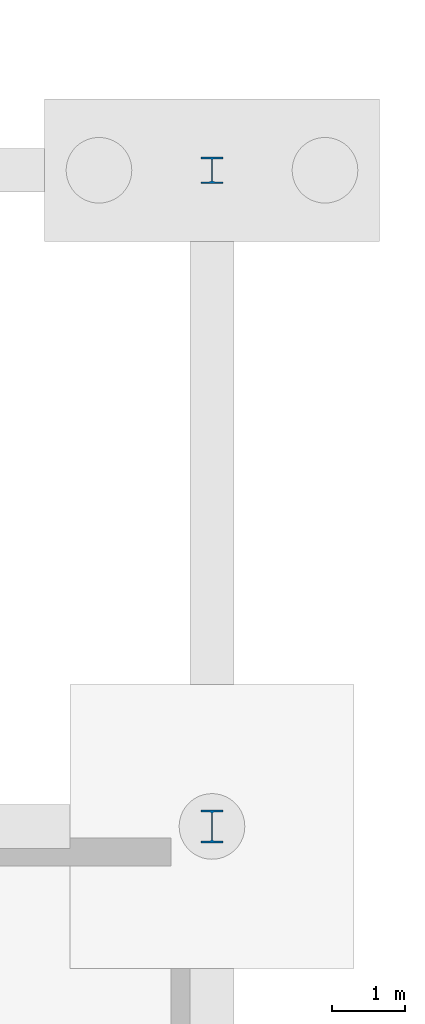
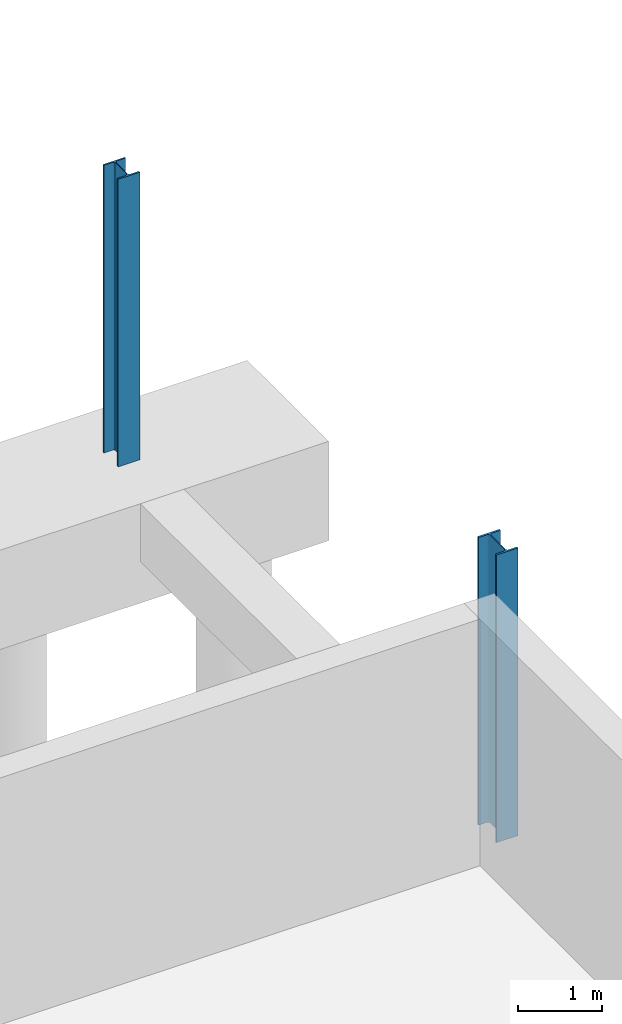
# One storey, part 29 of 42: 2 columns.
"""IFC4 building model written with IfcOpenShell, lengths in metres."""

from ifc_helpers import new_model, si_unit, direction, frame, origin, origin_2d, place, context, subcontext, project, spatial, i_section, extrude, material, material_profile, profile_set, type_object, element, save


model = new_model("IFC4")

# Units and contexts
model_context = context("Model", 3, precision=1e-05, world=origin(), true_north=direction((0.0, 1.0)))
body_context = subcontext(model_context, "Body", "Model", "MODEL_VIEW")
ifc_project = project(units=[si_unit("LENGTHUNIT", "METRE"), si_unit("AREAUNIT", "SQUARE_METRE"), si_unit("VOLUMEUNIT", "CUBIC_METRE"), si_unit("PLANEANGLEUNIT", "RADIAN"), si_unit("MASSUNIT", "GRAM", prefix="KILO")], contexts=[model_context])

# Site, building, storey
site_placement = place(None, origin())
site = spatial("IfcSite", under=ifc_project, at=site_placement, CompositionType="ELEMENT")
building_placement = place(site_placement, origin())
building = spatial("IfcBuilding", under=site, at=building_placement, Name="Deido Ridge Mobility Hub", CompositionType="ELEMENT")
storey_placement = place(building_placement, frame((0.0, 0.0, -4.199951171875)))
storey = spatial("IfcBuildingStorey", under=building, at=storey_placement, Name="B1", CompositionType="ELEMENT", Elevation=-4.199951171875)

# Columns
ifc_material = material(Name="Steel S355J2 EN 10025-2", Category="steel")
ifc_material_profile_1 = material_profile(ifc_material, i_section(OverallWidth=0.300048828125, OverallDepth=0.360107421875, WebThickness=0.012451171875, FlangeThickness=0.0224609375, FilletRadius=0.027099609375, at=origin_2d()), Name="HEB 360")
ifc_profile_set_1 = profile_set([ifc_material_profile_1], Name="Steel S355J2 EN 10025-2")
column_type_1 = type_object("IfcColumnType", Name="COL-HEB360", PredefinedType="COLUMN", material=ifc_profile_set_1)
column_1_placement = place(storey_placement, frame((180.0, 72.0, 0.0), z_axis=(0.0, 0.0, 1.0), x_axis=(1.0, 0.0, 0.0)))
element("IfcColumn", 1, at=column_1_placement, inside=storey, type_object=column_type_1, Name="Structural column C8", PredefinedType="COLUMN", context=body_context, shape_type="SweptSolid", body=[
    extrude(i_section(OverallWidth=0.300048828125, OverallDepth=0.360107421875, WebThickness=0.012451171875, FlangeThickness=0.0224609375, FilletRadius=0.027099609375, at=origin_2d()), origin(), (0.0, 0.0, 1.0), 4.199951171875),
])
ifc_material_profile_2 = material_profile(ifc_material, i_section(OverallWidth=0.300048828125, OverallDepth=0.449951171875, WebThickness=0.013916015625, FlangeThickness=0.02587890625, FilletRadius=0.027099609375, at=origin_2d()), Name="HEB 450")
ifc_profile_set_2 = profile_set([ifc_material_profile_2], Name="Steel S355J2 EN 10025-2")
column_type_2 = type_object("IfcColumnType", Name="COL-HEB450", PredefinedType="COLUMN", material=ifc_profile_set_2)
column_2_placement = place(storey_placement, frame((180.0, 63.0, 0.0), z_axis=(0.0, 0.0, 1.0), x_axis=(1.0, 0.0, 0.0)))
element("IfcColumn", 2, at=column_2_placement, inside=storey, type_object=column_type_2, Name="Structural column C6", PredefinedType="COLUMN", context=body_context, shape_type="SweptSolid", body=[
    extrude(i_section(OverallWidth=0.300048828125, OverallDepth=0.449951171875, WebThickness=0.013916015625, FlangeThickness=0.02587890625, FilletRadius=0.027099609375, at=origin_2d()), origin(), (0.0, 0.0, 1.0), 4.199951171875),
])

save(model, "model.ifc")
